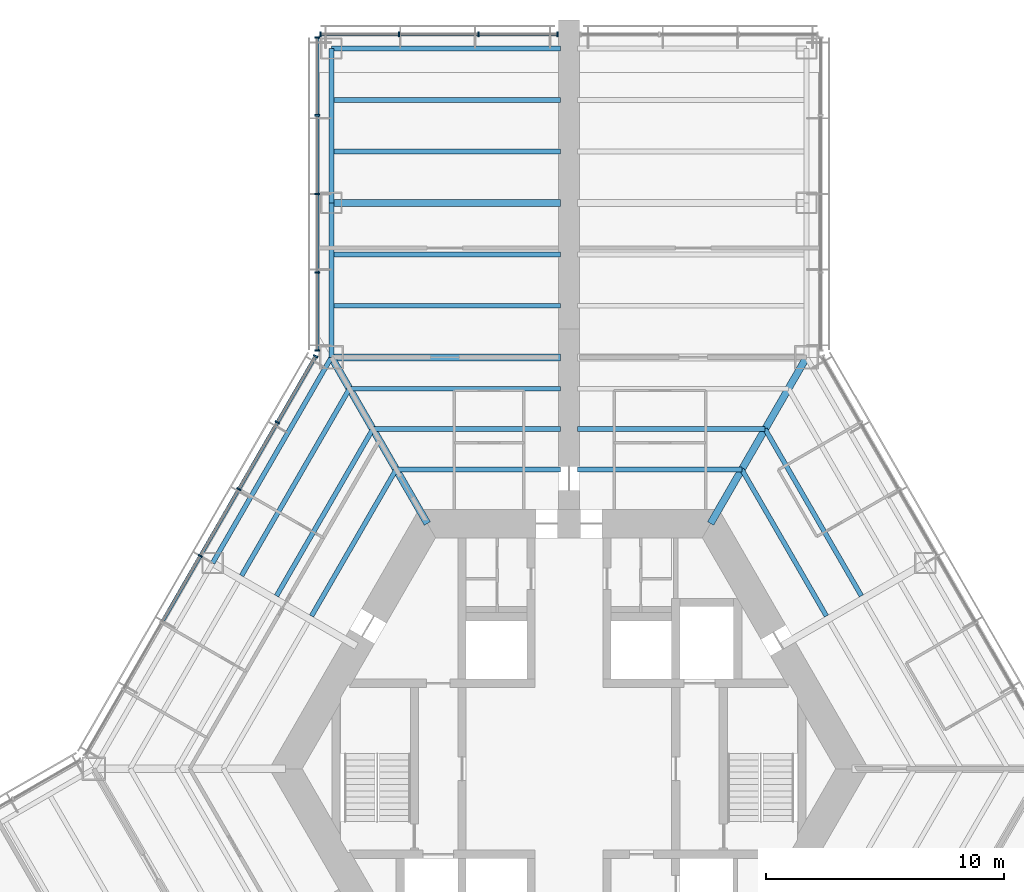
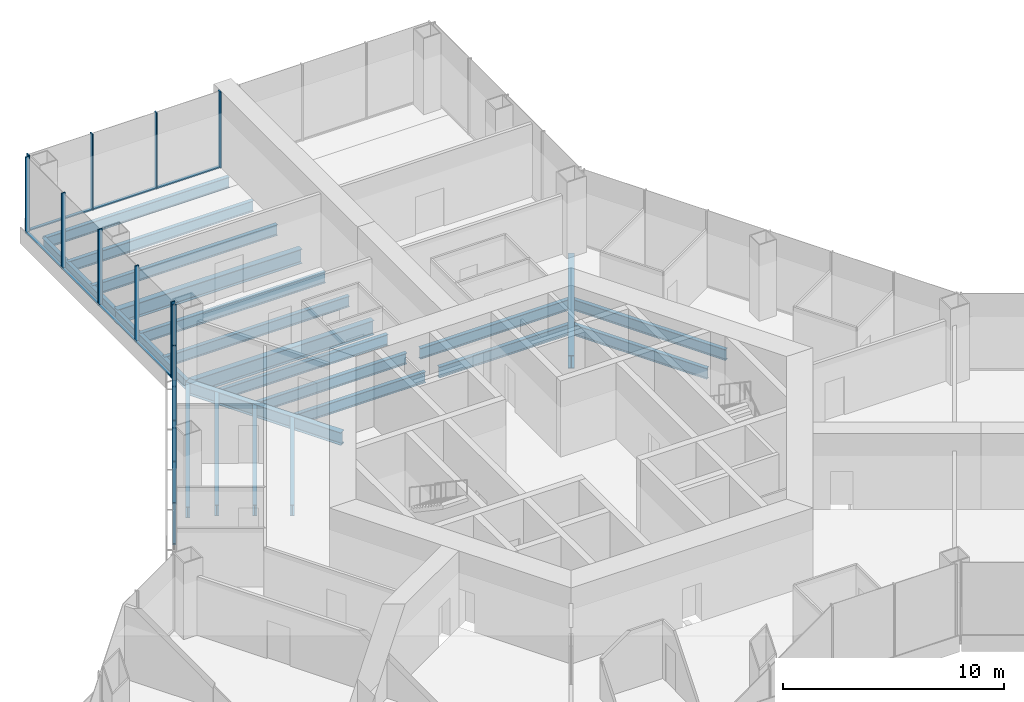
# One storey, part 6 of 17: 24 members, 22 beams, 3 elements without a shape of their own.
"""IFC4 building model written with IfcOpenShell, lengths in metres."""

from ifc_helpers import new_model, si_unit, direction, frame, origin, origin_2d, place, context, subcontext, project, spatial, rectangle, i_section, extrude, material, material_profile, profile_set, type_object, element, aggregate, save


model = new_model("IFC4")

# Units and contexts
model_context = context("Model", 3, precision=1e-05, world=origin(), true_north=direction((0.0, 1.0)))
body_context = subcontext(model_context, "Body", "Model", "MODEL_VIEW")
ifc_project = project(units=[si_unit("LENGTHUNIT", "METRE"), si_unit("AREAUNIT", "SQUARE_METRE"), si_unit("VOLUMEUNIT", "CUBIC_METRE"), si_unit("PLANEANGLEUNIT", "RADIAN"), si_unit("MASSUNIT", "GRAM", prefix="KILO")], contexts=[model_context])

# Site, building, storey
site_placement = place(None, origin())
site = spatial("IfcSite", under=ifc_project, at=site_placement, CompositionType="ELEMENT")
building_placement = place(site_placement, origin())
building = spatial("IfcBuilding", under=site, at=building_placement, Name="Kasaneha Research Tower", CompositionType="ELEMENT")
storey_placement = place(building_placement, frame((0.0, 0.0, 43.60009765625)))
storey = spatial("IfcBuildingStorey", under=building, at=storey_placement, Name="L11", CompositionType="ELEMENT", Elevation=43.60009765625)

# Beams
ifc_material_1 = material(Name="Steel SN490B", Category="steel")
ifc_material_profile_1 = material_profile(ifc_material_1, i_section(OverallWidth=0.199951171875, OverallDepth=0.60009765625, WebThickness=0.010986328125, FlangeThickness=0.01708984375, FilletRadius=0.012939453125, at=origin_2d()), Name="H-600x200x11x17")
ifc_profile_set_1 = profile_set([ifc_material_profile_1], Name="Steel SN490B")
beam_type_1 = type_object("IfcBeamType", Name="B1-2 secondary beam H-600x200x11x17", PredefinedType="JOIST", material=ifc_profile_set_1)
beam_1_placement = place(storey_placement, frame((7.274658203125, 12.60009765625, -0.47021484375), z_axis=(0.499990404686, -0.866030943571, 0.0), x_axis=(0.866030943571, 0.499990404686, 0.0)))
element("IfcBeam", 1, at=beam_1_placement, inside=storey, type_object=beam_type_1, Name="Secondary beam RS030R1 L11", PredefinedType="JOIST", context=body_context, shape_type="SweptSolid", body=[
    extrude(i_section(OverallWidth=0.199951171875, OverallDepth=0.60009765625, WebThickness=0.010986328125, FlangeThickness=0.01708984375, FilletRadius=0.012939453125, at=origin_2d()), origin(), (0.0, 0.0, 1.0), 7.124755859375),
])
beam_2_placement = place(storey_placement, frame((8.256103515625, 14.300048828125, -0.47021484375), z_axis=(0.499984030215, -0.866034623748, 0.0), x_axis=(0.866034623748, 0.499984030215, 0.0)))
element("IfcBeam", 2, at=beam_2_placement, inside=storey, type_object=beam_type_1, Name="Secondary beam RS030R2 L11", PredefinedType="JOIST", context=body_context, shape_type="SweptSolid", body=[
    extrude(i_section(OverallWidth=0.199951171875, OverallDepth=0.60009765625, WebThickness=0.010986328125, FlangeThickness=0.01708984375, FilletRadius=0.012939453125, at=origin_2d()), origin(), (0.0, 0.0, 1.0), 8.106201171875),
])
beam_3_placement = place(storey_placement, frame((7.274658203125, 12.60009765625, -0.47021484375), z_axis=(-1.0, 0.0, 0.0), x_axis=(0.0, -1.0, 0.0)))
element("IfcBeam", 3, at=beam_3_placement, inside=storey, type_object=beam_type_1, Name="Secondary beam RS090L1 L11", PredefinedType="JOIST", context=body_context, shape_type="SweptSolid", body=[
    extrude(i_section(OverallWidth=0.199951171875, OverallDepth=0.60009765625, WebThickness=0.010986328125, FlangeThickness=0.01708984375, FilletRadius=0.012939453125, at=origin_2d()), origin(), (0.0, 0.0, 1.0), 6.924560546875),
])
beam_4_placement = place(storey_placement, frame((8.256103515625, 14.300048828125, -0.47021484375), z_axis=(-1.0, 0.0, 0.0), x_axis=(0.0, -1.0, 0.0)))
element("IfcBeam", 4, at=beam_4_placement, inside=storey, type_object=beam_type_1, Name="Secondary beam RS090L2 L11", PredefinedType="JOIST", context=body_context, shape_type="SweptSolid", body=[
    extrude(i_section(OverallWidth=0.199951171875, OverallDepth=0.60009765625, WebThickness=0.010986328125, FlangeThickness=0.01708984375, FilletRadius=0.012939453125, at=origin_2d()), origin(), (0.0, 0.0, 1.0), 7.906005859375),
])
beam_5_placement = place(storey_placement, frame((-7.274658203125, 12.60009765625, -0.47021484375), z_axis=(1.0, 0.0, 0.0), x_axis=(0.0, 1.0, 0.0)))
element("IfcBeam", 5, at=beam_5_placement, inside=storey, type_object=beam_type_1, Name="Secondary beam RS090R1 L11", PredefinedType="JOIST", context=body_context, shape_type="SweptSolid", body=[
    extrude(i_section(OverallWidth=0.199951171875, OverallDepth=0.60009765625, WebThickness=0.010986328125, FlangeThickness=0.01708984375, FilletRadius=0.012939453125, at=origin_2d()), origin(), (0.0, 0.0, 1.0), 6.924560546875),
])
beam_6_placement = place(storey_placement, frame((-8.256103515625, 14.300048828125, -0.47021484375), z_axis=(1.0, 0.0, 0.0), x_axis=(0.0, 1.0, 0.0)))
element("IfcBeam", 6, at=beam_6_placement, inside=storey, type_object=beam_type_1, Name="Secondary beam RS090R2 L11", PredefinedType="JOIST", context=body_context, shape_type="SweptSolid", body=[
    extrude(i_section(OverallWidth=0.199951171875, OverallDepth=0.60009765625, WebThickness=0.010986328125, FlangeThickness=0.01708984375, FilletRadius=0.012939453125, at=origin_2d()), origin(), (0.0, 0.0, 1.0), 7.906005859375),
])
beam_7_placement = place(storey_placement, frame((-9.237548828125, 16.0, -0.47021484375), z_axis=(1.0, 0.0, 0.0), x_axis=(0.0, 1.0, 0.0)))
element("IfcBeam", 7, at=beam_7_placement, inside=storey, type_object=beam_type_1, Name="Secondary beam RS090R3 L11", PredefinedType="JOIST", context=body_context, shape_type="SweptSolid", body=[
    extrude(i_section(OverallWidth=0.199951171875, OverallDepth=0.60009765625, WebThickness=0.010986328125, FlangeThickness=0.01708984375, FilletRadius=0.012939453125, at=origin_2d()), origin(), (0.0, 0.0, 1.0), 8.887451171875),
])
beam_8_placement = place(storey_placement, frame((-7.274658203125, 12.60009765625, -0.47021484375), z_axis=(-0.499990404686, -0.866030943571, 0.0), x_axis=(0.866030943571, -0.499990404686, 0.0)))
element("IfcBeam", 8, at=beam_8_placement, inside=storey, type_object=beam_type_1, Name="Secondary beam RS150L1 L11", PredefinedType="JOIST", context=body_context, shape_type="SweptSolid", body=[
    extrude(i_section(OverallWidth=0.199951171875, OverallDepth=0.60009765625, WebThickness=0.010986328125, FlangeThickness=0.01708984375, FilletRadius=0.012939453125, at=origin_2d()), origin(), (0.0, 0.0, 1.0), 7.124755859375),
])
beam_9_placement = place(storey_placement, frame((-8.256103515625, 14.300048828125, -0.47021484375), z_axis=(-0.499984030215, -0.866034623748, 0.0), x_axis=(0.866034623748, -0.499984030215, 0.0)))
element("IfcBeam", 9, at=beam_9_placement, inside=storey, type_object=beam_type_1, Name="Secondary beam RS150L2 L11", PredefinedType="JOIST", context=body_context, shape_type="SweptSolid", body=[
    extrude(i_section(OverallWidth=0.199951171875, OverallDepth=0.60009765625, WebThickness=0.010986328125, FlangeThickness=0.01708984375, FilletRadius=0.012939453125, at=origin_2d()), origin(), (0.0, 0.0, 1.0), 8.106201171875),
])
beam_10_placement = place(storey_placement, frame((-9.237548828125, 16.0, -0.47021484375), z_axis=(-0.500010814234, -0.866019160093, 0.0), x_axis=(0.866019160093, -0.500010814234, 0.0)))
element("IfcBeam", 10, at=beam_10_placement, inside=storey, type_object=beam_type_1, Name="Secondary beam RS150L3 L11", PredefinedType="JOIST", context=body_context, shape_type="SweptSolid", body=[
    extrude(i_section(OverallWidth=0.199951171875, OverallDepth=0.60009765625, WebThickness=0.010986328125, FlangeThickness=0.01708984375, FilletRadius=0.012939453125, at=origin_2d()), origin(), (0.0, 0.0, 1.0), 9.087646484375),
])
ifc_material_2 = material(Name="Steel SN490B", Category="steel")
ifc_material_profile_2 = material_profile(ifc_material_2, i_section(OverallWidth=0.198974609375, OverallDepth=0.595947265625, WebThickness=0.010009765625, FlangeThickness=0.014892578125, FilletRadius=0.012939453125, at=origin_2d()), Name="H-596x199x10x15")
ifc_profile_set_2 = profile_set([ifc_material_profile_2], Name="Steel SN490B")
beam_type_2 = type_object("IfcBeamType", Name="B2-2 secondary beam H-596x199x10x15", PredefinedType="JOIST", material=ifc_profile_set_2)
for number, where, z_axis, x_axis, name in (
    (11, (-10.0, 19.487060546875, -0.468017578125), (1.0, 0.0, 0.0), (0.0, 1.0, 0.0), "Secondary beam WBAN1 L11"),
    (12, (-10.0, 21.65380859375, -0.468017578125), (1.0, 0.0, 0.0), (0.0, 1.0, 0.0), "Secondary beam WBAN2 L11"),
    (13, (-10.0, 25.987060546875, -0.468017578125), (1.0, 0.0, 0.0), (0.0, 1.0, 0.0), "Secondary beam WBAN3 L11"),
    (14, (-10.0, 28.15380859375, -0.468017578125), (1.0, 0.0, 0.0), (0.0, 1.0, 0.0), "Secondary beam WBAN4 L11"),
):
    element("IfcBeam", number, at=place(storey_placement, frame(where, z_axis=z_axis, x_axis=x_axis)), inside=storey, type_object=beam_type_2, Name=name, PredefinedType="JOIST", context=body_context, shape_type="SweptSolid", body=[
        extrude(i_section(OverallWidth=0.198974609375, OverallDepth=0.595947265625, WebThickness=0.010009765625, FlangeThickness=0.014892578125, FilletRadius=0.012939453125, at=origin_2d()), origin(), (0.0, 0.0, 1.0), 9.64990234375),
    ])

# Curtain wall, members
ifc_material_3 = material(Name="Glass and aluminium", Category="aluminium")
curtain_wall_type = type_object("IfcCurtainWallType", Name="Dry laboratory curtain wall", PredefinedType="USERDEFINED", material=ifc_material_3)
curtain_wall_1_placement = place(storey_placement, origin())
curtain_wall_1 = element("IfcCurtainWall", 15, at=curtain_wall_1_placement, inside=storey, type_object=curtain_wall_type, Name="CW-L2 L11 run 10a", ObjectType="UNITISED CURTAIN WALL", PredefinedType="USERDEFINED")
ifc_material_4 = material(Name="Aluminium 6063-T6", Category="aluminium")
ifc_material_profile_3 = material_profile(ifc_material_4, rectangle(XDim=0.06494140625, YDim=0.199951171875, at=origin_2d()), Name="CW-L2 mullion 65x200")
ifc_profile_set_3 = profile_set([ifc_material_profile_3], Name="Aluminium 6063-T6")
member_type_1 = type_object("IfcMemberType", Name="CW-L2 mullion", PredefinedType="MULLION", material=ifc_profile_set_3)
member_1_placement = place(storey_placement, frame((-0.482421875, 30.92041015625, 0.0), z_axis=(0.0, 0.0, 1.0), x_axis=(-1.0, 0.0, 0.0)))
member_1 = element("IfcMember", 16, at=member_1_placement, type_object=member_type_1, Name="CW-L2 mullion 1", PredefinedType="MULLION", context=body_context, shape_type="SweptSolid", body=[
    extrude(rectangle(XDim=0.06494140625, YDim=0.199951171875, at=origin_2d()), origin(), (0.0, 0.0, 1.0), 4.199951171875),
])
member_2_placement = place(storey_placement, frame((-3.800048828125, 30.92041015625, 0.0), z_axis=(0.0, 0.0, 1.0), x_axis=(-1.0, 0.0, 0.0)))
member_2 = element("IfcMember", 17, at=member_2_placement, type_object=member_type_1, Name="CW-L2 mullion 2", PredefinedType="MULLION", context=body_context, shape_type="SweptSolid", body=[
    extrude(rectangle(XDim=0.06494140625, YDim=0.199951171875, at=origin_2d()), origin(), (0.0, 0.0, 1.0), 4.199951171875),
])
member_3_placement = place(storey_placement, frame((-7.14990234375, 30.92041015625, 0.0), z_axis=(0.0, 0.0, 1.0), x_axis=(-1.0, 0.0, 0.0)))
member_3 = element("IfcMember", 18, at=member_3_placement, type_object=member_type_1, Name="CW-L2 mullion 3", PredefinedType="MULLION", context=body_context, shape_type="SweptSolid", body=[
    extrude(rectangle(XDim=0.06494140625, YDim=0.199951171875, at=origin_2d()), origin(), (0.0, 0.0, 1.0), 4.199951171875),
])
member_4_placement = place(storey_placement, frame((-10.467529296875, 30.92041015625, 0.0), z_axis=(0.0, 0.0, 1.0), x_axis=(-1.0, 0.0, 0.0)))
member_4 = element("IfcMember", 19, at=member_4_placement, type_object=member_type_1, Name="CW-L2 mullion 4", PredefinedType="MULLION", context=body_context, shape_type="SweptSolid", body=[
    extrude(rectangle(XDim=0.06494140625, YDim=0.199951171875, at=origin_2d()), origin(), (0.0, 0.0, 1.0), 4.199951171875),
])

curtain_wall_2_placement = place(storey_placement, origin())
curtain_wall_2 = element("IfcCurtainWall", 20, at=curtain_wall_2_placement, inside=storey, type_object=curtain_wall_type, Name="CW-L2 L11 run 11a", ObjectType="UNITISED CURTAIN WALL", PredefinedType="USERDEFINED")
member_5_placement = place(storey_placement, frame((-10.60009765625, 30.7880859375, 0.0), z_axis=(0.0, 0.0, 1.0), x_axis=(0.0, -1.0, 0.0)))
member_5 = element("IfcMember", 21, at=member_5_placement, type_object=member_type_1, Name="CW-L2 mullion 1", PredefinedType="MULLION", context=body_context, shape_type="SweptSolid", body=[
    extrude(rectangle(XDim=0.06494140625, YDim=0.199951171875, at=origin_2d()), origin(), (0.0, 0.0, 1.0), 4.199951171875),
])
member_6_placement = place(storey_placement, frame((-10.60009765625, 27.5107421875, 0.0), z_axis=(0.0, 0.0, 1.0), x_axis=(0.0, -1.0, 0.0)))
member_6 = element("IfcMember", 22, at=member_6_placement, type_object=member_type_1, Name="CW-L2 mullion 2", PredefinedType="MULLION", context=body_context, shape_type="SweptSolid", body=[
    extrude(rectangle(XDim=0.06494140625, YDim=0.199951171875, at=origin_2d()), origin(), (0.0, 0.0, 1.0), 4.199951171875),
])
member_7_placement = place(storey_placement, frame((-10.60009765625, 24.200927734375, 0.0), z_axis=(0.0, 0.0, 1.0), x_axis=(0.0, -1.0, 0.0)))
member_7 = element("IfcMember", 23, at=member_7_placement, type_object=member_type_1, Name="CW-L2 mullion 3", PredefinedType="MULLION", context=body_context, shape_type="SweptSolid", body=[
    extrude(rectangle(XDim=0.06494140625, YDim=0.199951171875, at=origin_2d()), origin(), (0.0, 0.0, 1.0), 4.199951171875),
])
member_8_placement = place(storey_placement, frame((-10.60009765625, 20.89111328125, 0.0), z_axis=(0.0, 0.0, 1.0), x_axis=(0.0, -1.0, 0.0)))
member_8 = element("IfcMember", 24, at=member_8_placement, type_object=member_type_1, Name="CW-L2 mullion 4", PredefinedType="MULLION", context=body_context, shape_type="SweptSolid", body=[
    extrude(rectangle(XDim=0.06494140625, YDim=0.199951171875, at=origin_2d()), origin(), (0.0, 0.0, 1.0), 4.199951171875),
])
member_9_placement = place(storey_placement, frame((-10.60009765625, 17.61376953125, 0.0), z_axis=(0.0, 0.0, 1.0), x_axis=(0.0, -1.0, 0.0)))
member_9 = element("IfcMember", 25, at=member_9_placement, type_object=member_type_1, Name="CW-L2 mullion 5", PredefinedType="MULLION", context=body_context, shape_type="SweptSolid", body=[
    extrude(rectangle(XDim=0.06494140625, YDim=0.199951171875, at=origin_2d()), origin(), (0.0, 0.0, 1.0), 4.199951171875),
])

curtain_wall_3_placement = place(storey_placement, origin())
curtain_wall_3 = element("IfcCurtainWall", 26, at=curtain_wall_3_placement, inside=storey, type_object=curtain_wall_type, Name="CW-L2 L11 run 12a", ObjectType="UNITISED CURTAIN WALL", PredefinedType="USERDEFINED")
member_10_placement = place(storey_placement, frame((-10.666259765625, 17.366455078125, 0.0), z_axis=(0.0, 0.0, 1.0), x_axis=(-0.49999996188, -0.866025425793, 0.0)))
member_10 = element("IfcMember", 27, at=member_10_placement, type_object=member_type_1, Name="CW-L2 mullion 1", PredefinedType="MULLION", context=body_context, shape_type="SweptSolid", body=[
    extrude(rectangle(XDim=0.06494140625, YDim=0.199951171875, at=origin_2d()), origin(), (0.0, 0.0, 1.0), 4.199951171875),
])
member_11_placement = place(storey_placement, frame((-12.273193359375, 14.583251953125, 0.0), z_axis=(0.0, 0.0, 1.0), x_axis=(-0.49999996188, -0.866025425793, 0.0)))
member_11 = element("IfcMember", 28, at=member_11_placement, type_object=member_type_1, Name="CW-L2 mullion 2", PredefinedType="MULLION", context=body_context, shape_type="SweptSolid", body=[
    extrude(rectangle(XDim=0.06494140625, YDim=0.199951171875, at=origin_2d()), origin(), (0.0, 0.0, 1.0), 4.199951171875),
])
member_12_placement = place(storey_placement, frame((-13.896484375, 11.771728515625, 0.0), z_axis=(0.0, 0.0, 1.0), x_axis=(-0.49999996188, -0.866025425793, 0.0)))
member_12 = element("IfcMember", 29, at=member_12_placement, type_object=member_type_1, Name="CW-L2 mullion 3", PredefinedType="MULLION", context=body_context, shape_type="SweptSolid", body=[
    extrude(rectangle(XDim=0.06494140625, YDim=0.199951171875, at=origin_2d()), origin(), (0.0, 0.0, 1.0), 4.199951171875),
])
member_13_placement = place(storey_placement, frame((-15.51953125, 8.960205078125, 0.0), z_axis=(0.0, 0.0, 1.0), x_axis=(-0.49999996188, -0.866025425793, 0.0)))
member_13 = element("IfcMember", 30, at=member_13_placement, type_object=member_type_1, Name="CW-L2 mullion 4", PredefinedType="MULLION", context=body_context, shape_type="SweptSolid", body=[
    extrude(rectangle(XDim=0.06494140625, YDim=0.199951171875, at=origin_2d()), origin(), (0.0, 0.0, 1.0), 4.199951171875),
])

# Member
ifc_material_5 = material(Name="Aluminium 6063-T6", Category="aluminium")
ifc_material_profile_4 = material_profile(ifc_material_5, rectangle(XDim=0.14990234375, YDim=0.06494140625, at=origin_2d()), Name="CW-L2 transom 150x65")
ifc_profile_set_4 = profile_set([ifc_material_profile_4], Name="Aluminium 6063-T6")
member_type_2 = type_object("IfcMemberType", Name="CW-L2 transom", PredefinedType="USERDEFINED", material=ifc_profile_set_4)
member_14_placement = place(storey_placement, frame((-0.514892578125, 30.92041015625, 0.032470703125), z_axis=(-1.0, 0.0, 0.0), x_axis=(0.0, -1.0, 0.0)))
member_14 = element("IfcMember", 31, at=member_14_placement, type_object=member_type_2, Name="CW-L2 transom 1", ObjectType="TRANSOM", PredefinedType="USERDEFINED", context=body_context, shape_type="SweptSolid", body=[
    extrude(rectangle(XDim=0.14990234375, YDim=0.06494140625, at=origin_2d()), origin(), (0.0, 0.0, 1.0), 3.252685546875),
])

member_15_placement = place(storey_placement, frame((-3.83251953125, 30.92041015625, 0.032470703125), z_axis=(-1.0, 0.0, 0.0), x_axis=(0.0, -1.0, 0.0)))
member_15 = element("IfcMember", 32, at=member_15_placement, type_object=member_type_2, Name="CW-L2 transom 2", ObjectType="TRANSOM", PredefinedType="USERDEFINED", context=body_context, shape_type="SweptSolid", body=[
    extrude(rectangle(XDim=0.14990234375, YDim=0.06494140625, at=origin_2d()), origin(), (0.0, 0.0, 1.0), 3.284912109375),
])

member_16_placement = place(storey_placement, frame((-7.1826171875, 30.92041015625, 0.032470703125), z_axis=(-1.0, 0.0, 0.0), x_axis=(0.0, -1.0, 0.0)))
member_16 = element("IfcMember", 33, at=member_16_placement, type_object=member_type_2, Name="CW-L2 transom 3", ObjectType="TRANSOM", PredefinedType="USERDEFINED", context=body_context, shape_type="SweptSolid", body=[
    extrude(rectangle(XDim=0.14990234375, YDim=0.06494140625, at=origin_2d()), origin(), (0.0, 0.0, 1.0), 3.25244140625),
])

aggregate(curtain_wall_1, [member_1, member_2, member_3, member_4, member_14, member_15, member_16])

member_17_placement = place(storey_placement, frame((-10.60009765625, 30.755615234375, 0.032470703125), z_axis=(0.0, -1.0, 0.0), x_axis=(1.0, 0.0, 0.0)))
member_17 = element("IfcMember", 34, at=member_17_placement, type_object=member_type_2, Name="CW-L2 transom 1", ObjectType="TRANSOM", PredefinedType="USERDEFINED", context=body_context, shape_type="SweptSolid", body=[
    extrude(rectangle(XDim=0.14990234375, YDim=0.06494140625, at=origin_2d()), origin(), (0.0, 0.0, 1.0), 3.21240234375),
])

member_18_placement = place(storey_placement, frame((-10.60009765625, 27.478271484375, 0.032470703125), z_axis=(0.0, -1.0, 0.0), x_axis=(1.0, 0.0, 0.0)))
member_18 = element("IfcMember", 35, at=member_18_placement, type_object=member_type_2, Name="CW-L2 transom 2", ObjectType="TRANSOM", PredefinedType="USERDEFINED", context=body_context, shape_type="SweptSolid", body=[
    extrude(rectangle(XDim=0.14990234375, YDim=0.06494140625, at=origin_2d()), origin(), (0.0, 0.0, 1.0), 3.244873046875),
])

member_19_placement = place(storey_placement, frame((-10.60009765625, 24.16845703125, 0.032470703125), z_axis=(0.0, -1.0, 0.0), x_axis=(1.0, 0.0, 0.0)))
member_19 = element("IfcMember", 36, at=member_19_placement, type_object=member_type_2, Name="CW-L2 transom 3", ObjectType="TRANSOM", PredefinedType="USERDEFINED", context=body_context, shape_type="SweptSolid", body=[
    extrude(rectangle(XDim=0.14990234375, YDim=0.06494140625, at=origin_2d()), origin(), (0.0, 0.0, 1.0), 3.244873046875),
])

member_20_placement = place(storey_placement, frame((-10.60009765625, 20.858642578125, 0.032470703125), z_axis=(0.0, -1.0, 0.0), x_axis=(1.0, 0.0, 0.0)))
member_20 = element("IfcMember", 37, at=member_20_placement, type_object=member_type_2, Name="CW-L2 transom 4", ObjectType="TRANSOM", PredefinedType="USERDEFINED", context=body_context, shape_type="SweptSolid", body=[
    extrude(rectangle(XDim=0.14990234375, YDim=0.06494140625, at=origin_2d()), origin(), (0.0, 0.0, 1.0), 3.21240234375),
])

aggregate(curtain_wall_2, [member_5, member_6, member_7, member_8, member_9, member_17, member_18, member_19, member_20])

member_21_placement = place(storey_placement, frame((-10.6826171875, 17.33837890625, 0.032470703125), z_axis=(-0.499941702305, -0.866059059358, 0.0), x_axis=(0.866059059358, -0.499941702305, 0.0)))
member_21 = element("IfcMember", 38, at=member_21_placement, type_object=member_type_2, Name="CW-L2 transom 1", ObjectType="TRANSOM", PredefinedType="USERDEFINED", context=body_context, shape_type="SweptSolid", body=[
    extrude(rectangle(XDim=0.14990234375, YDim=0.06494140625, at=origin_2d()), origin(), (0.0, 0.0, 1.0), 3.14892578125),
])

member_22_placement = place(storey_placement, frame((-12.28955078125, 14.55517578125, 0.032470703125), z_axis=(-0.499943876812, -0.866057804098, 0.0), x_axis=(0.866057804098, -0.499943876812, 0.0)))
member_22 = element("IfcMember", 39, at=member_22_placement, type_object=member_type_2, Name="CW-L2 transom 2", ObjectType="TRANSOM", PredefinedType="USERDEFINED", context=body_context, shape_type="SweptSolid", body=[
    extrude(rectangle(XDim=0.14990234375, YDim=0.06494140625, at=origin_2d()), origin(), (0.0, 0.0, 1.0), 3.181396484375),
])

member_23_placement = place(storey_placement, frame((-13.91259765625, 11.74365234375, 0.032470703125), z_axis=(-0.500001430823, -0.866024577697, 0.0), x_axis=(0.866024577697, -0.500001430823, 0.0)))
member_23 = element("IfcMember", 40, at=member_23_placement, type_object=member_type_2, Name="CW-L2 transom 3", ObjectType="TRANSOM", PredefinedType="USERDEFINED", context=body_context, shape_type="SweptSolid", body=[
    extrude(rectangle(XDim=0.14990234375, YDim=0.06494140625, at=origin_2d()), origin(), (0.0, 0.0, 1.0), 3.181640625),
])

member_24_placement = place(storey_placement, frame((-15.535888671875, 8.93212890625, 0.032470703125), z_axis=(-0.499977104415, -0.866038622153, 0.0), x_axis=(0.866038622153, -0.499977104415, 0.0)))
member_24 = element("IfcMember", 41, at=member_24_placement, type_object=member_type_2, Name="CW-L2 transom 4", ObjectType="TRANSOM", PredefinedType="USERDEFINED", context=body_context, shape_type="SweptSolid", body=[
    extrude(rectangle(XDim=0.14990234375, YDim=0.06494140625, at=origin_2d()), origin(), (0.0, 0.0, 1.0), 3.181396484375),
])

aggregate(curtain_wall_3, [member_10, member_11, member_12, member_13, member_21, member_22, member_23, member_24])

# Beams
ifc_material_6 = material(Name="Steel SN490B", Category="steel")
ifc_material_profile_5 = material_profile(ifc_material_6, i_section(OverallWidth=0.300048828125, OverallDepth=0.699951171875, WebThickness=0.012939453125, FlangeThickness=0.02392578125, FilletRadius=0.01806640625, at=origin_2d()), Name="H-700x300x13x24")
ifc_profile_set_5 = profile_set([ifc_material_profile_5], Name="Steel SN490B")
beam_type_3 = type_object("IfcBeamType", Name="G1-2 radial girder H-700x300x13x24", PredefinedType="BEAM", material=ifc_profile_set_5)
for number, where, z_axis, x_axis, name in (
    (42, (5.961181640625, 10.324951171875, -0.52001953125), (0.49999105496, 0.866030568144, 0.0), (-0.866030568144, 0.49999105496, 0.0), "Radial girder RV060 L11"),
    (43, (-5.961181640625, 10.324951171875, -0.52001953125), (-0.49999105496, 0.866030568144, 0.0), (-0.866030568144, -0.49999105496, 0.0), "Radial girder RV120 L11"),
):
    element("IfcBeam", number, at=place(storey_placement, frame(where, z_axis=z_axis, x_axis=x_axis)), inside=storey, type_object=beam_type_3, Name=name, PredefinedType="BEAM", context=body_context, shape_type="SweptSolid", body=[
        extrude(i_section(OverallWidth=0.300048828125, OverallDepth=0.699951171875, WebThickness=0.012939453125, FlangeThickness=0.02392578125, FilletRadius=0.01806640625, at=origin_2d()), origin(), (0.0, 0.0, 1.0), 8.077880859375),
    ])
ifc_material_7 = material(Name="Steel SN490B", Category="steel")
ifc_material_profile_6 = material_profile(ifc_material_7, i_section(OverallWidth=0.300048828125, OverallDepth=0.7919921875, WebThickness=0.013916015625, FlangeThickness=0.02197265625, FilletRadius=0.01806640625, at=origin_2d()), Name="H-792x300x14x22")
ifc_profile_set_6 = profile_set([ifc_material_profile_6], Name="Steel SN490B")
beam_type_4 = type_object("IfcBeamType", Name="G3-2 plate edge girder H-792x300x14x22", PredefinedType="BEAM", material=ifc_profile_set_6)
beam_11_placement = place(storey_placement, frame((-10.0, 17.320556640625, -0.566162109375), z_axis=(1.0, 0.0, 0.0), x_axis=(0.0, 1.0, 0.0)))
element("IfcBeam", 44, at=beam_11_placement, inside=storey, type_object=beam_type_4, Name="Plate edge girder PEAN L11", PredefinedType="BEAM", context=body_context, shape_type="SweptSolid", body=[
    extrude(i_section(OverallWidth=0.300048828125, OverallDepth=0.7919921875, WebThickness=0.013916015625, FlangeThickness=0.02197265625, FilletRadius=0.01806640625, at=origin_2d()), origin(), (0.0, 0.0, 1.0), 9.64990234375),
])
ifc_material_8 = material(Name="Steel SN490B", Category="steel")
ifc_material_profile_7 = material_profile(ifc_material_8, i_section(OverallWidth=0.300048828125, OverallDepth=0.800048828125, WebThickness=0.013916015625, FlangeThickness=0.02587890625, FilletRadius=0.01806640625, at=origin_2d()), Name="H-800x300x14x26")
ifc_profile_set_7 = profile_set([ifc_material_profile_7], Name="Steel SN490B")
beam_type_5 = type_object("IfcBeamType", Name="G4-2 wing girder H-800x300x14x26", PredefinedType="BEAM", material=ifc_profile_set_7)
beam_12_placement = place(storey_placement, frame((-10.0, 23.820556640625, -0.570068359375), z_axis=(1.0, 0.0, 0.0), x_axis=(0.0, 1.0, 0.0)))
element("IfcBeam", 45, at=beam_12_placement, inside=storey, type_object=beam_type_5, Name="Wing girder WGAN L11", PredefinedType="BEAM", context=body_context, shape_type="SweptSolid", body=[
    extrude(i_section(OverallWidth=0.300048828125, OverallDepth=0.800048828125, WebThickness=0.013916015625, FlangeThickness=0.02587890625, FilletRadius=0.01806640625, at=origin_2d()), origin(), (0.0, 0.0, 1.0), 9.64990234375),
])
ifc_material_9 = material(Name="Steel SN490B", Category="steel")
ifc_material_profile_8 = material_profile(ifc_material_9, i_section(OverallWidth=0.199951171875, OverallDepth=0.60009765625, WebThickness=0.010986328125, FlangeThickness=0.01708984375, FilletRadius=0.012939453125, at=origin_2d()), Name="H-600x200x11x17")
ifc_profile_set_8 = profile_set([ifc_material_profile_8], Name="Steel SN490B")
beam_type_6 = type_object("IfcBeamType", Name="SB1-2 spandrel beam H-600x200x11x17", PredefinedType="SPANDREL", material=ifc_profile_set_8)
beam_13_placement = place(storey_placement, frame((-10.0, 17.320556640625, -0.47021484375), z_axis=(-0.499993662806, -0.866029062534, 0.0), x_axis=(0.866029062534, -0.499993662806, 0.0)))
element("IfcBeam", 46, at=beam_13_placement, inside=storey, type_object=beam_type_6, Name="Spandrel beam SR150L L11", PredefinedType="SPANDREL", context=body_context, shape_type="SweptSolid", body=[
    extrude(i_section(OverallWidth=0.199951171875, OverallDepth=0.60009765625, WebThickness=0.010986328125, FlangeThickness=0.01708984375, FilletRadius=0.012939453125, at=origin_2d()), origin(), (0.0, 0.0, 1.0), 10.000244140625),
])
ifc_material_10 = material(Name="Steel SN490B", Category="steel")
ifc_material_profile_9 = material_profile(ifc_material_10, i_section(OverallWidth=0.199951171875, OverallDepth=0.5, WebThickness=0.010009765625, FlangeThickness=0.01611328125, FilletRadius=0.012939453125, at=origin_2d()), Name="H-500x200x10x16")
ifc_profile_set_9 = profile_set([ifc_material_profile_9], Name="Steel SN490B")
beam_type_7 = type_object("IfcBeamType", Name="SB2-2 spandrel beam H-500x200x10x16", PredefinedType="SPANDREL", material=ifc_profile_set_9)
for number, where, z_axis, x_axis, name in (
    (47, (-10.0, 17.320556640625, -0.420166015625), (0.0, 1.0, 0.0), (-1.0, 0.0, 0.0), "Spandrel beam WSAN1 L11"),
    (48, (-10.0, 23.820556640625, -0.420166015625), (0.0, 1.0, 0.0), (-1.0, 0.0, 0.0), "Spandrel beam WSAN2 L11"),
):
    element("IfcBeam", number, at=place(storey_placement, frame(where, z_axis=z_axis, x_axis=x_axis)), inside=storey, type_object=beam_type_7, Name=name, PredefinedType="SPANDREL", context=body_context, shape_type="SweptSolid", body=[
        extrude(i_section(OverallWidth=0.199951171875, OverallDepth=0.5, WebThickness=0.010009765625, FlangeThickness=0.01611328125, FilletRadius=0.012939453125, at=origin_2d()), origin(), (0.0, 0.0, 1.0), 6.5),
    ])
ifc_material_11 = material(Name="Steel SN490B", Category="steel")
ifc_material_profile_10 = material_profile(ifc_material_11, i_section(OverallWidth=0.199951171875, OverallDepth=0.60009765625, WebThickness=0.010986328125, FlangeThickness=0.01708984375, FilletRadius=0.012939453125, at=origin_2d()), Name="H-600x200x11x17")
ifc_profile_set_10 = profile_set([ifc_material_profile_10], Name="Steel SN490B")
beam_type_8 = type_object("IfcBeamType", Name="SB3-2 spandrel beam H-600x200x11x17", PredefinedType="SPANDREL", material=ifc_profile_set_10)
beam_14_placement = place(storey_placement, frame((-10.0, 30.320556640625, -0.47021484375), z_axis=(1.0, 0.0, 0.0), x_axis=(0.0, 1.0, 0.0)))
element("IfcBeam", 49, at=beam_14_placement, inside=storey, type_object=beam_type_8, Name="Spandrel beam WTAN L11", PredefinedType="SPANDREL", context=body_context, shape_type="SweptSolid", body=[
    extrude(i_section(OverallWidth=0.199951171875, OverallDepth=0.60009765625, WebThickness=0.010986328125, FlangeThickness=0.01708984375, FilletRadius=0.012939453125, at=origin_2d()), origin(), (0.0, 0.0, 1.0), 9.64990234375),
])

save(model, "model.ifc")
